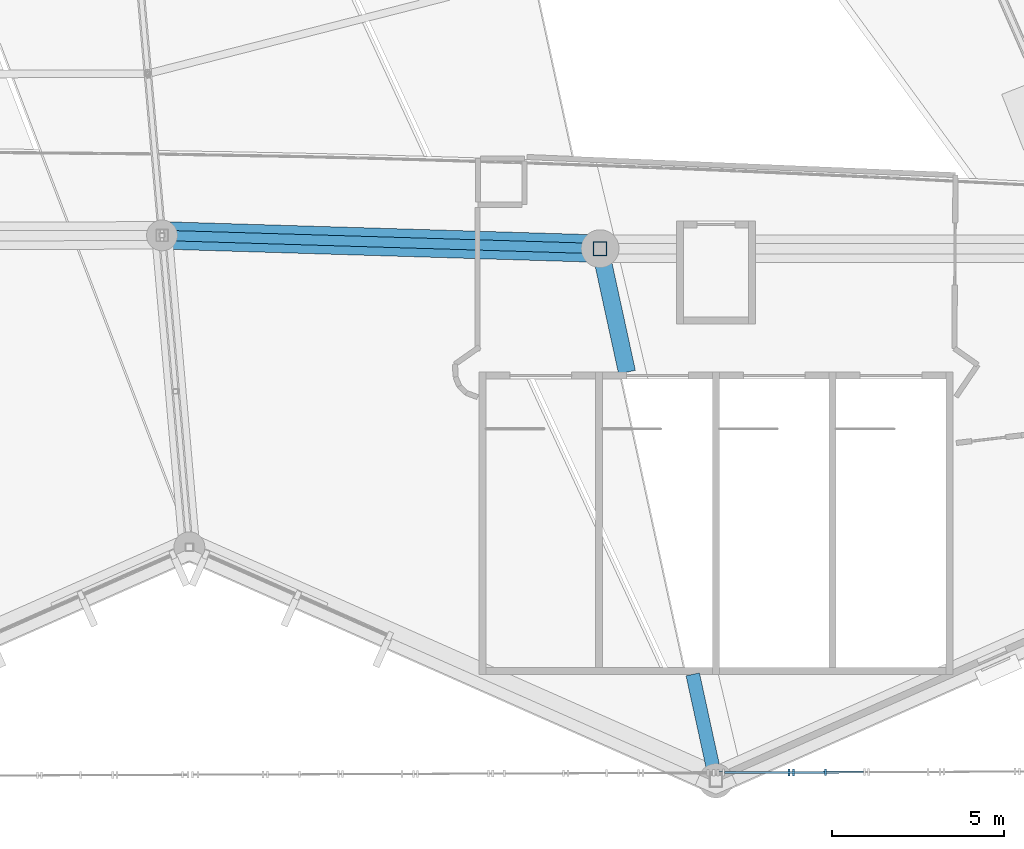
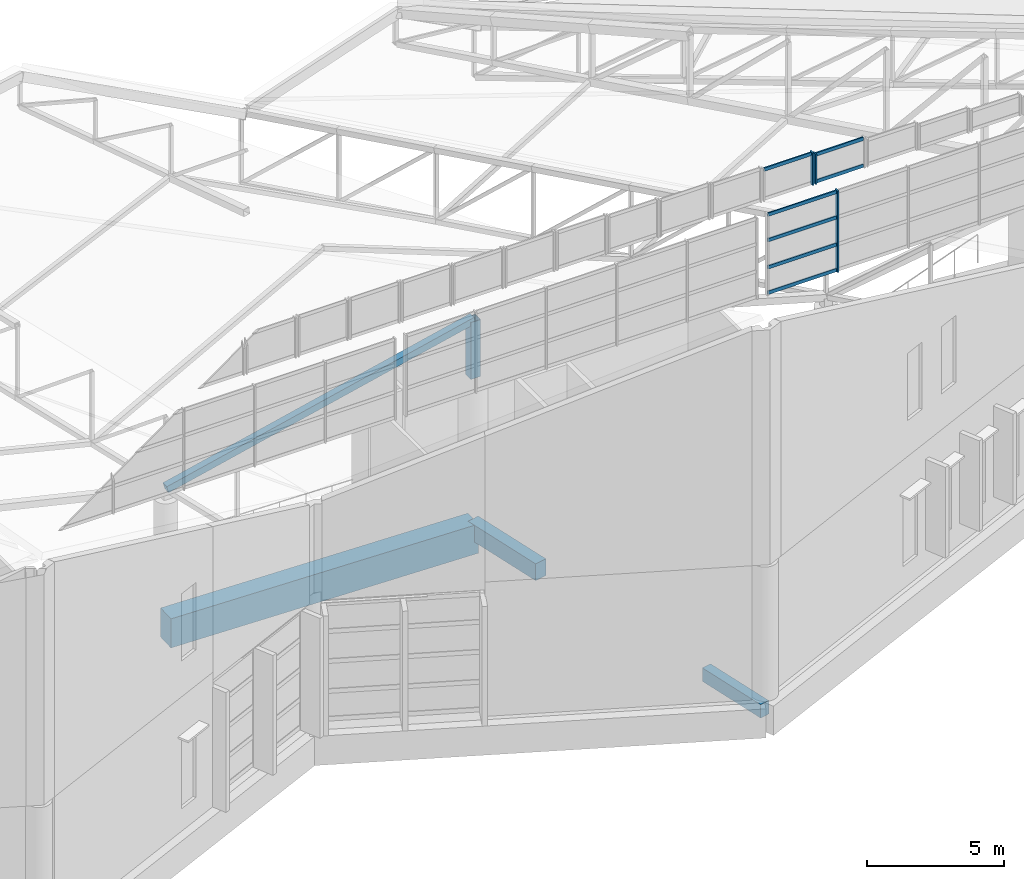
# One storey, part 37 of 344: 12 members, 3 beams, 3 elements without a shape of their own.
"""IFC4 building model written with IfcOpenShell, lengths in metres."""

from ifc_helpers import new_model, si_unit, direction, frame, origin, origin_2d, place, context, subcontext, project, spatial, rectangle, hollow_rectangle, extrude, material, layer, layer_set, material_profile, profile_set, type_object, element, aggregate, save


model = new_model("IFC4")

# Units and contexts
model_context = context("Model", 3, precision=1e-05, world=origin(), true_north=direction((0.0, 1.0)))
body_context = subcontext(model_context, "Body", "Model", "MODEL_VIEW")
ifc_project = project(units=[si_unit("LENGTHUNIT", "METRE"), si_unit("AREAUNIT", "SQUARE_METRE"), si_unit("VOLUMEUNIT", "CUBIC_METRE"), si_unit("PLANEANGLEUNIT", "RADIAN"), si_unit("MASSUNIT", "GRAM", prefix="KILO")], contexts=[model_context])

# Site, building, storey
site_placement = place(None, origin())
site = spatial("IfcSite", under=ifc_project, at=site_placement, CompositionType="ELEMENT")
building_placement = place(site_placement, origin())
building = spatial("IfcBuilding", under=site, at=building_placement, Name="Meseta Stadium", CompositionType="ELEMENT")
storey_placement = place(building_placement, frame((0.0, 0.0, 24.0)))
storey = spatial("IfcBuildingStorey", under=building, at=storey_placement, Name="L04", CompositionType="ELEMENT", Elevation=24.0)

# Curtain wall, member
ifc_material_1 = material(Name="Aluminium", Category="aluminium")
ifc_layer = layer(ifc_material_1, 0.199951171875)
ifc_layer_set = layer_set([ifc_layer], Name="Gable glazing curtain wall")
curtain_wall_type = type_object("IfcCurtainWallType", Name="Gable glazing curtain wall", PredefinedType="NOTDEFINED", material=ifc_layer_set)
curtain_wall_1_placement = place(storey_placement, origin())
curtain_wall_1 = element("IfcCurtainWall", 1, at=curtain_wall_1_placement, inside=storey, type_object=curtain_wall_type, Name="Gable glazing south bay 29", PredefinedType="NOTDEFINED")
ifc_material_2 = material(Name="Aluminium", Category="aluminium")
ifc_material_profile_1 = material_profile(ifc_material_2, rectangle(XDim=0.199951171875, YDim=0.06005859375, at=origin_2d()), Name="CW 200x60")
ifc_profile_set_1 = profile_set([ifc_material_profile_1], Name="Aluminium")
member_type_1 = type_object("IfcMemberType", Name="CW mullion 60x200", PredefinedType="MULLION", material=ifc_profile_set_1)
member_1_placement = place(storey_placement, frame((25.13134765625, -105.15576171875, 21.85498046875), z_axis=(0.0, 0.0, 1.0), x_axis=(-0.003847534181, 0.999992598213, 0.0)))
member_1 = element("IfcMember", 2, at=member_1_placement, type_object=member_type_1, Name="CWG mullion 2", PredefinedType="MULLION", context=body_context, shape_type="SweptSolid", body=[
    extrude(rectangle(XDim=0.199951171875, YDim=0.06005859375, at=origin_2d()), origin(), (0.0, 0.0, 1.0), 1.45361328125),
])

curtain_wall_2_placement = place(storey_placement, origin())
curtain_wall_2 = element("IfcCurtainWall", 3, at=curtain_wall_2_placement, inside=storey, type_object=curtain_wall_type, Name="Gable glazing south bay 30", PredefinedType="NOTDEFINED")
member_2_placement = place(storey_placement, frame((25.25537109375, -105.1552734375, 21.85498046875), z_axis=(0.0, 0.0, 1.0), x_axis=(-0.003847534181, 0.999992598213, 0.0)))
member_2 = element("IfcMember", 4, at=member_2_placement, type_object=member_type_1, Name="CWG mullion 1", PredefinedType="MULLION", context=body_context, shape_type="SweptSolid", body=[
    extrude(rectangle(XDim=0.199951171875, YDim=0.06005859375, at=origin_2d()), origin(), (0.0, 0.0, 1.0), 1.3544921875),
])

curtain_wall_3_placement = place(storey_placement, origin())
curtain_wall_3 = element("IfcCurtainWall", 5, at=curtain_wall_3_placement, inside=storey, type_object=curtain_wall_type, Name="Gable glazing south lower bay 05", PredefinedType="NOTDEFINED")
member_3_placement = place(storey_placement, frame((26.188232421875, -105.15185546875, 17.60009765625), z_axis=(0.0, 0.0, 1.0), x_axis=(-0.003847534216, 0.999992598213, 0.0)))
member_3 = element("IfcMember", 6, at=member_3_placement, type_object=member_type_1, Name="CWG mullion 2", PredefinedType="MULLION", context=body_context, shape_type="SweptSolid", body=[
    extrude(rectangle(XDim=0.199951171875, YDim=0.06005859375, at=origin_2d()), origin(), (0.0, 0.0, 1.0), 3.635009765625),
])

# Member
ifc_material_3 = material(Name="Aluminium", Category="aluminium")
ifc_material_profile_2 = material_profile(ifc_material_3, rectangle(XDim=0.06005859375, YDim=0.14990234375, at=origin_2d()), Name="CW 60x150")
ifc_profile_set_2 = profile_set([ifc_material_profile_2], Name="Aluminium")
member_type_2 = type_object("IfcMemberType", Name="CW transom 60x150", PredefinedType="USERDEFINED", material=ifc_profile_set_2)
member_4_placement = place(storey_placement, frame((23.091064453125, -105.16357421875, 23.233642578125), z_axis=(0.999992912925, 0.003764850656, 0.0), x_axis=(-0.003764850656, 0.999992912925, 0.0)))
member_4 = element("IfcMember", 7, at=member_4_placement, type_object=member_type_2, Name="CWG transom 1.2", ObjectType="TRANSOM", PredefinedType="USERDEFINED", context=body_context, shape_type="SweptSolid", body=[
    extrude(rectangle(XDim=0.06005859375, YDim=0.14990234375, at=origin_2d()), origin(), (0.0, 0.0, 1.0), 2.01025390625),
])

aggregate(curtain_wall_1, [member_1, member_4])

member_5_placement = place(storey_placement, frame((25.28515625, -105.1552734375, 21.929931640625), z_axis=(0.999992448325, 0.003886295646, 0.0), x_axis=(-0.003886295646, 0.999992448325, 0.0)))
member_5 = element("IfcMember", 8, at=member_5_placement, type_object=member_type_2, Name="CWG transom 1.1", ObjectType="TRANSOM", PredefinedType="USERDEFINED", context=body_context, shape_type="SweptSolid", body=[
    extrude(rectangle(XDim=0.06005859375, YDim=0.14990234375, at=origin_2d()), origin(), (0.0, 0.0, 1.0), 2.01025390625),
])

member_6_placement = place(storey_placement, frame((25.28515625, -105.1552734375, 23.134521484375), z_axis=(0.999992448325, 0.003886295646, 0.0), x_axis=(-0.003886295646, 0.999992448325, 0.0)))
member_6 = element("IfcMember", 9, at=member_6_placement, type_object=member_type_2, Name="CWG transom 1.2", ObjectType="TRANSOM", PredefinedType="USERDEFINED", context=body_context, shape_type="SweptSolid", body=[
    extrude(rectangle(XDim=0.06005859375, YDim=0.14990234375, at=origin_2d()), origin(), (0.0, 0.0, 1.0), 2.01025390625),
])

aggregate(curtain_wall_2, [member_2, member_5, member_6])

member_7_placement = place(storey_placement, frame((23.254638671875, -105.1630859375, 17.675048828125), z_axis=(0.999992520063, 0.003867792476, 0.0), x_axis=(-0.003867792476, 0.999992520063, 0.0)))
member_7 = element("IfcMember", 10, at=member_7_placement, type_object=member_type_2, Name="CWG transom 1.1", ObjectType="TRANSOM", PredefinedType="USERDEFINED", context=body_context, shape_type="SweptSolid", body=[
    extrude(rectangle(XDim=0.06005859375, YDim=0.14990234375, at=origin_2d()), origin(), (0.0, 0.0, 1.0), 2.903564453125),
])

member_8_placement = place(storey_placement, frame((23.254638671875, -105.1630859375, 18.811767578125), z_axis=(0.999992520063, 0.003867792476, 0.0), x_axis=(-0.003867792476, 0.999992520063, 0.0)))
member_8 = element("IfcMember", 11, at=member_8_placement, type_object=member_type_2, Name="CWG transom 1.2", ObjectType="TRANSOM", PredefinedType="USERDEFINED", context=body_context, shape_type="SweptSolid", body=[
    extrude(rectangle(XDim=0.06005859375, YDim=0.14990234375, at=origin_2d()), origin(), (0.0, 0.0, 1.0), 2.903564453125),
])

member_9_placement = place(storey_placement, frame((23.254638671875, -105.1630859375, 20.0234375), z_axis=(0.999992520063, 0.003867792476, 0.0), x_axis=(-0.003867792476, 0.999992520063, 0.0)))
member_9 = element("IfcMember", 12, at=member_9_placement, type_object=member_type_2, Name="CWG transom 1.3", ObjectType="TRANSOM", PredefinedType="USERDEFINED", context=body_context, shape_type="SweptSolid", body=[
    extrude(rectangle(XDim=0.06005859375, YDim=0.14990234375, at=origin_2d()), origin(), (0.0, 0.0, 1.0), 2.903564453125),
])

member_10_placement = place(storey_placement, frame((23.254638671875, -105.1630859375, 21.159912109375), z_axis=(0.999992520063, 0.003867792476, 0.0), x_axis=(-0.003867792476, 0.999992520063, 0.0)))
member_10 = element("IfcMember", 13, at=member_10_placement, type_object=member_type_2, Name="CWG transom 1.4", ObjectType="TRANSOM", PredefinedType="USERDEFINED", context=body_context, shape_type="SweptSolid", body=[
    extrude(rectangle(XDim=0.06005859375, YDim=0.14990234375, at=origin_2d()), origin(), (0.0, 0.0, 1.0), 2.903564453125),
])

aggregate(curtain_wall_3, [member_3, member_7, member_8, member_9, member_10])

# Beams
ifc_material_4 = material(Name="Concrete C40/50", Category="concrete")
ifc_material_profile_3 = material_profile(ifc_material_4, rectangle(XDim=0.39990234375, YDim=0.60009765625, at=origin_2d()), Name="RC 400x600")
ifc_profile_set_3 = profile_set([ifc_material_profile_3], Name="Concrete C40/50")
beam_type_1 = type_object("IfcBeamType", Name="RC beam 400x600", PredefinedType="BEAM", material=ifc_profile_set_3)
beam_1_placement = place(storey_placement, frame((22.3251953125, -102.300048828125, -0.699951171875), z_axis=(0.212707595725, -0.977115898305, 0.0), x_axis=(0.977115898305, 0.212707595725, 0.0)))
element("IfcBeam", 14, at=beam_1_placement, inside=storey, type_object=beam_type_1, Name="L04 radial beam frame 48 line P to R", PredefinedType="BEAM", context=body_context, shape_type="SweptSolid", body=[
    extrude(rectangle(XDim=0.39990234375, YDim=0.60009765625, at=origin_2d()), origin(), (0.0, 0.0, 1.0), 3.17236328125),
])
ifc_material_5 = material(Name="Concrete C40/50", Category="concrete")
ifc_material_profile_4 = material_profile(ifc_material_5, rectangle(XDim=0.5, YDim=0.75, at=origin_2d()), Name="RC 500x750")
ifc_profile_set_4 = profile_set([ifc_material_profile_4], Name="Concrete C40/50")
beam_type_2 = type_object("IfcBeamType", Name="RC beam 500x750", PredefinedType="BEAM", material=ifc_profile_set_4)
beam_2_placement = place(storey_placement, frame((19.62744140625, -89.90380859375, -0.77490234375), z_axis=(0.212671990307, -0.977123648541, 0.0), x_axis=(0.977123648541, 0.212671990307, 0.0)))
element("IfcBeam", 15, at=beam_2_placement, inside=storey, type_object=beam_type_2, Name="L04 radial beam frame 48 line P to R", PredefinedType="BEAM", context=body_context, shape_type="SweptSolid", body=[
    extrude(rectangle(XDim=0.5, YDim=0.75, at=origin_2d()), origin(), (0.0, 0.0, 1.0), 3.680419921875),
])
ifc_material_6 = material(Name="Concrete C40/50", Category="concrete")
ifc_material_profile_5 = material_profile(ifc_material_6, rectangle(XDim=0.800048828125, YDim=1.300048828125, at=origin_2d()), Name="RC 800x1300")
ifc_profile_set_5 = profile_set([ifc_material_profile_5], Name="Concrete C40/50")
beam_type_3 = type_object("IfcBeamType", Name="RC beam 800x1300", PredefinedType="BEAM", material=ifc_profile_set_5)
beam_3_placement = place(storey_placement, frame((6.87060546875, -89.517822265625, -1.050048828125), z_axis=(0.999542564532, -0.030243374311, 0.0), x_axis=(0.030243374311, 0.999542564532, 0.0)))
element("IfcBeam", 16, at=beam_3_placement, inside=storey, type_object=beam_type_3, Name="L04 ring beam frame 47 line P", PredefinedType="BEAM", context=body_context, shape_type="SweptSolid", body=[
    extrude(rectangle(XDim=0.800048828125, YDim=1.300048828125, at=origin_2d()), origin(), (0.0, 0.0, 1.0), 12.7626953125),
])

# Members
ifc_material_7 = material(Name="Steel S355", Category="steel")
ifc_material_profile_6 = material_profile(ifc_material_7, hollow_rectangle(XDim=0.300048828125, YDim=0.300048828125, WallThickness=0.010009765625, at=origin_2d()), Name="SHS 300x300x10")
ifc_profile_set_6 = profile_set([ifc_material_profile_6], Name="Steel S355")
member_type_3 = type_object("IfcMemberType", Name="SHS 300x300x10 pivot strut", PredefinedType="STRUT", material=ifc_profile_set_6)
member_11_placement = place(storey_placement, frame((6.870849609375, -89.517822265625, 5.212646484375), z_axis=(0.967165295767, -0.029264288389, 0.252457703565), x_axis=(0.030243952592, 0.999542547034, 0.0)))
element("IfcMember", 17, at=member_11_placement, inside=storey, type_object=member_type_3, Name="ROOF PIVOT STRUT RT-47/48", PredefinedType="STRUT", context=body_context, shape_type="SweptSolid", body=[
    extrude(hollow_rectangle(XDim=0.300048828125, YDim=0.300048828125, WallThickness=0.010009765625, at=origin_2d()), origin(), (0.0, 0.0, 1.0), 13.189697265625),
])
ifc_material_8 = material(Name="Steel S355", Category="steel")
ifc_material_profile_7 = material_profile(ifc_material_8, hollow_rectangle(XDim=0.39990234375, YDim=0.39990234375, WallThickness=0.01416015625, at=origin_2d()), Name="SHS 400x400x14.2")
ifc_profile_set_7 = profile_set([ifc_material_profile_7], Name="Steel S355")
member_type_4 = type_object("IfcMemberType", Name="SHS 400x400x14.2 pedestal", PredefinedType="POST", material=ifc_profile_set_7)
member_12_placement = place(storey_placement, frame((19.62744140625, -89.90380859375, 6.0), z_axis=(0.0, 0.0, 1.0), x_axis=(1.0, 0.0, 0.0)))
element("IfcMember", 18, at=member_12_placement, inside=storey, type_object=member_type_4, Name="ROOF TRUSS RT-48 pedestal", PredefinedType="POST", context=body_context, shape_type="SweptSolid", body=[
    extrude(hollow_rectangle(XDim=0.39990234375, YDim=0.39990234375, WallThickness=0.01416015625, at=origin_2d()), origin(), (0.0, 0.0, 1.0), 2.54248046875),
])

save(model, "model.ifc")
